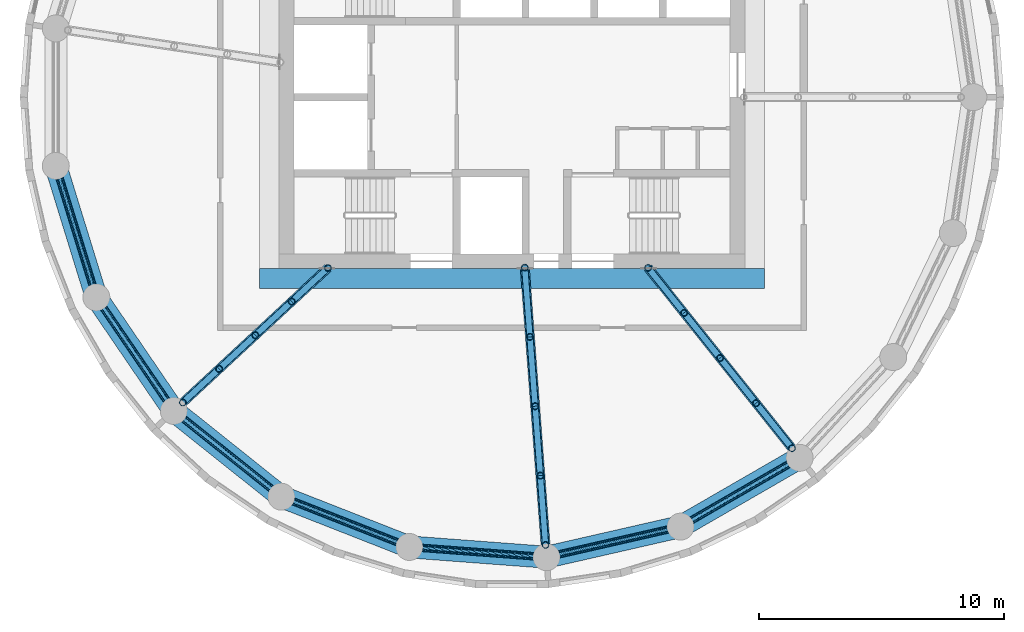
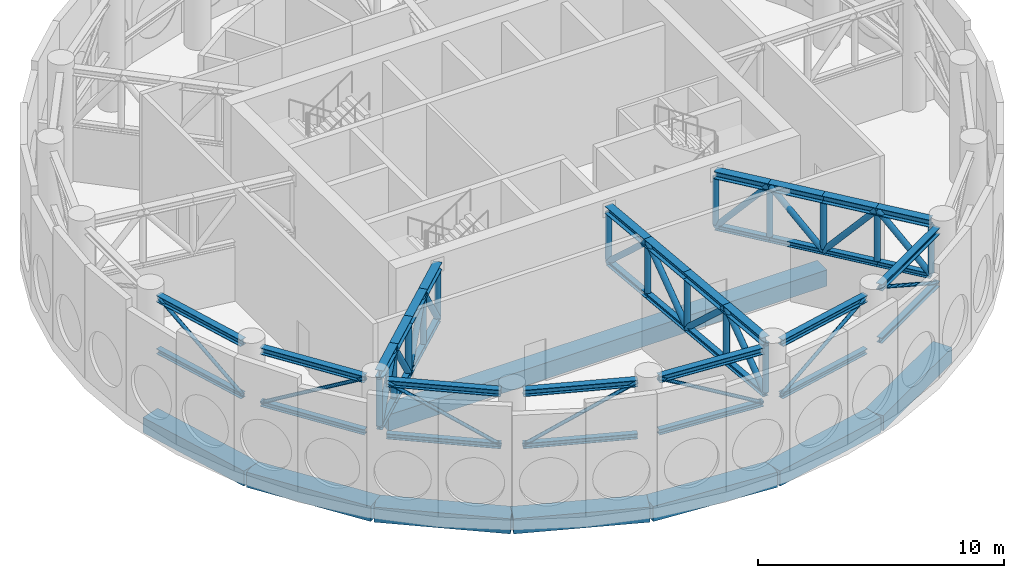
# One storey, part 2 of 13: 72 members, 8 beams.
"""IFC4 building model written with IfcOpenShell, lengths in metres."""

from ifc_helpers import new_model, si_unit, direction, frame, origin, origin_2d, place, context, subcontext, project, spatial, rectangle, hollow_circle, i_section, extrude, material, material_profile, profile_set, type_object, element, save


model = new_model("IFC4")

# Units and contexts
model_context = context("Model", 3, precision=1e-05, world=origin(), true_north=direction((0.0, 1.0)))
body_context = subcontext(model_context, "Body", "Model", "MODEL_VIEW")
ifc_project = project(units=[si_unit("LENGTHUNIT", "METRE"), si_unit("AREAUNIT", "SQUARE_METRE"), si_unit("VOLUMEUNIT", "CUBIC_METRE"), si_unit("PLANEANGLEUNIT", "RADIAN"), si_unit("MASSUNIT", "GRAM", prefix="KILO")], contexts=[model_context])

# Site, building, storey
site_placement = place(None, origin())
site = spatial("IfcSite", under=ifc_project, at=site_placement, CompositionType="ELEMENT")
building_placement = place(site_placement, origin())
building = spatial("IfcBuilding", under=site, at=building_placement, Name="Tracery Tower", CompositionType="ELEMENT")
storey_placement = place(building_placement, frame((0.0, 0.0, 277.800048828125)))
storey = spatial("IfcBuildingStorey", under=building, at=storey_placement, Name="L72 Plant", CompositionType="ELEMENT", Elevation=277.800048828125)

# Members
ifc_material_1 = material(Name="Steel S355", Category="steel")
ifc_material_profile_1 = material_profile(ifc_material_1, i_section(OverallWidth=0.25634765625, OverallDepth=0.26025390625, WebThickness=0.01025390625, FlangeThickness=0.017333984375, FilletRadius=0.0126953125, at=origin_2d()), Name="UKC 254x254x89")
ifc_profile_set_1 = profile_set([ifc_material_profile_1], Name="Steel S355")
member_type_1 = type_object("IfcMemberType", Name="Belt truss bottom chord UKC 254x254x89", PredefinedType="CHORD", material=ifc_profile_set_1)
member_1_placement = place(storey_placement, frame((-18.4794921875, -3.2353515625, 2.830078125), z_axis=(0.294784997868, -0.955563605958, 0.0), x_axis=(0.955563605958, 0.294784997868, 0.0)))
element("IfcMember", 1, at=member_1_placement, inside=storey, type_object=member_type_1, Name="Belt truss bottom chord 12", PredefinedType="CHORD", context=body_context, shape_type="SweptSolid", body=[
    extrude(i_section(OverallWidth=0.25634765625, OverallDepth=0.26025390625, WebThickness=0.01025390625, FlangeThickness=0.017333984375, FilletRadius=0.0126953125, at=origin_2d()), origin(), (0.0, 0.0, 1.0), 4.710693359375),
])
member_2_placement = place(storey_placement, frame((-16.70458984375, -8.53857421875, 2.830078125), z_axis=(0.563341649439, -0.826224053152, 0.0), x_axis=(0.826224053152, 0.563341649439, 0.0)))
element("IfcMember", 2, at=member_2_placement, inside=storey, type_object=member_type_1, Name="Belt truss bottom chord 13", PredefinedType="CHORD", context=body_context, shape_type="SweptSolid", body=[
    extrude(i_section(OverallWidth=0.25634765625, OverallDepth=0.26025390625, WebThickness=0.01025390625, FlangeThickness=0.017333984375, FilletRadius=0.0126953125, at=origin_2d()), origin(), (0.0, 0.0, 1.0), 4.71044921875),
])
for number, where, z_axis, x_axis, name in (
    (3, (-13.44580078125, -13.0830078125, 2.830078125), (0.781828604121, -0.623493411175, 0.0), (0.623493411175, 0.781828604121, 0.0), "Belt truss bottom chord 14"),
    (4, (-8.9921875, -16.46484375, 2.830078125), (0.93087679871, -0.365333252831, 0.0), (0.365333252831, 0.93087679871, 0.0), "Belt truss bottom chord 15"),
    (5, (-3.739501953125, -18.3837890625, 2.830078125), (0.997199599776, -0.074786082973, 0.0), (0.074786082973, 0.997199599776, 0.0), "Belt truss bottom chord 16"),
    (6, (1.84521484375, -18.66943359375, 2.830078125), (0.974922155148, 0.222546155665, 0.0), (-0.222546155665, 0.974922155148, 0.0), "Belt truss bottom chord 17"),
    (7, (7.26611328125, -17.296142578125, 2.830078125), (0.866037140647, 0.499979670606, 0.0), (-0.499979670606, 0.866037140647, 0.0), "Belt truss bottom chord 18"),
):
    element("IfcMember", number, at=place(storey_placement, frame(where, z_axis=z_axis, x_axis=x_axis)), inside=storey, type_object=member_type_1, Name=name, PredefinedType="CHORD", context=body_context, shape_type="SweptSolid", body=[
        extrude(i_section(OverallWidth=0.25634765625, OverallDepth=0.26025390625, WebThickness=0.01025390625, FlangeThickness=0.017333984375, FilletRadius=0.0126953125, at=origin_2d()), origin(), (0.0, 0.0, 1.0), 4.710693359375),
    ])
ifc_material_2 = material(Name="Steel S355", Category="steel")
ifc_material_profile_2 = material_profile(ifc_material_2, hollow_circle(Radius=0.084228515625, WallThickness=0.008056640625, at=origin_2d()), Name="CHS 168.3x8")
ifc_profile_set_2 = profile_set([ifc_material_profile_2], Name="Steel S355")
member_type_2 = type_object("IfcMemberType", Name="Belt truss diagonal CHS 168.3x8", PredefinedType="BRACE", material=ifc_profile_set_2)
member_3_placement = place(storey_placement, frame((-18.4794921875, -3.2353515625, 5.468994140625), z_axis=(0.257181422183, -0.833669314736, -0.488726088675), x_axis=(0.955563605958, 0.294784997868, 0.0)))
element("IfcMember", 8, at=member_3_placement, inside=storey, type_object=member_type_2, Name="Belt truss diagonal 12", PredefinedType="BRACE", context=body_context, shape_type="SweptSolid", body=[
    extrude(hollow_circle(Radius=0.084228515625, WallThickness=0.008056640625, at=origin_2d()), origin(), (0.0, 0.0, 1.0), 5.399658203125),
])
member_4_placement = place(storey_placement, frame((-16.70458984375, -8.53857421875, 2.830078125), z_axis=(0.49147039538, -0.720814203031, 0.488757337718), x_axis=(0.826224053152, 0.563341649439, 0.0)))
element("IfcMember", 9, at=member_4_placement, inside=storey, type_object=member_type_2, Name="Belt truss diagonal 13", PredefinedType="BRACE", context=body_context, shape_type="SweptSolid", body=[
    extrude(hollow_circle(Radius=0.084228515625, WallThickness=0.008056640625, at=origin_2d()), origin(), (0.0, 0.0, 1.0), 5.399169921875),
])
for number, where, z_axis, x_axis, name in (
    (10, (-13.44580078125, -13.0830078125, 5.468994140625), (0.682088749802, -0.543952778264, -0.488743606007), (0.623493411175, 0.781828604121, 0.0), "Belt truss diagonal 14"),
    (11, (-8.9921875, -16.46484375, 2.830078125), (0.812124520324, -0.318727562149, 0.488739710494), (0.365333252831, 0.93087679871, 0.0), "Belt truss diagonal 15"),
    (12, (-3.739501953125, -18.3837890625, 5.468994140625), (0.86998996148, -0.065245855954, -0.488733511441), (0.074786082973, 0.997199599776, 0.0), "Belt truss diagonal 16"),
    (13, (1.84521484375, -18.66943359375, 2.830078125), (0.850552696551, 0.194156253202, 0.48873659545), (-0.222546155665, 0.974922155148, 0.0), "Belt truss diagonal 17"),
    (14, (7.26611328125, -17.296142578125, 5.468994140625), (0.755557155629, 0.436197479375, -0.488738318085), (-0.499979670606, 0.866037140647, 0.0), "Belt truss diagonal 18"),
):
    element("IfcMember", number, at=place(storey_placement, frame(where, z_axis=z_axis, x_axis=x_axis)), inside=storey, type_object=member_type_2, Name=name, PredefinedType="BRACE", context=body_context, shape_type="SweptSolid", body=[
        extrude(hollow_circle(Radius=0.084228515625, WallThickness=0.008056640625, at=origin_2d()), origin(), (0.0, 0.0, 1.0), 5.3994140625),
    ])
ifc_material_3 = material(Name="Steel S355", Category="steel")
ifc_material_profile_3 = material_profile(ifc_material_3, i_section(OverallWidth=0.30908203125, OverallDepth=0.320556640625, WebThickness=0.013916015625, FlangeThickness=0.021728515625, FilletRadius=0.01513671875, at=origin_2d()), Name="UKC 305x305x137")
ifc_profile_set_3 = profile_set([ifc_material_profile_3], Name="Steel S355")
member_type_3 = type_object("IfcMemberType", Name="Belt truss top chord UKC 305x305x137", PredefinedType="CHORD", material=ifc_profile_set_3)
member_5_placement = place(storey_placement, frame((-18.4794921875, -3.2353515625, 5.468994140625), z_axis=(0.294784997868, -0.955563605958, 0.0), x_axis=(0.955563605958, 0.294784997868, 0.0)))
element("IfcMember", 15, at=member_5_placement, inside=storey, type_object=member_type_3, Name="Belt truss top chord 12", PredefinedType="CHORD", context=body_context, shape_type="SweptSolid", body=[
    extrude(i_section(OverallWidth=0.30908203125, OverallDepth=0.320556640625, WebThickness=0.013916015625, FlangeThickness=0.021728515625, FilletRadius=0.01513671875, at=origin_2d()), origin(), (0.0, 0.0, 1.0), 4.710693359375),
])
member_6_placement = place(storey_placement, frame((-16.70458984375, -8.53857421875, 5.468994140625), z_axis=(0.563341649439, -0.826224053152, 0.0), x_axis=(0.826224053152, 0.563341649439, 0.0)))
element("IfcMember", 16, at=member_6_placement, inside=storey, type_object=member_type_3, Name="Belt truss top chord 13", PredefinedType="CHORD", context=body_context, shape_type="SweptSolid", body=[
    extrude(i_section(OverallWidth=0.30908203125, OverallDepth=0.320556640625, WebThickness=0.013916015625, FlangeThickness=0.021728515625, FilletRadius=0.01513671875, at=origin_2d()), origin(), (0.0, 0.0, 1.0), 4.71044921875),
])
for number, where, z_axis, x_axis, name in (
    (17, (-13.44580078125, -13.0830078125, 5.468994140625), (0.781828604121, -0.623493411175, 0.0), (0.623493411175, 0.781828604121, 0.0), "Belt truss top chord 14"),
    (18, (-8.9921875, -16.46484375, 5.468994140625), (0.93087679871, -0.365333252831, 0.0), (0.365333252831, 0.93087679871, 0.0), "Belt truss top chord 15"),
    (19, (-3.739501953125, -18.3837890625, 5.468994140625), (0.997199599776, -0.074786082973, 0.0), (0.074786082973, 0.997199599776, 0.0), "Belt truss top chord 16"),
    (20, (1.84521484375, -18.66943359375, 5.468994140625), (0.974922155148, 0.222546155665, 0.0), (-0.222546155665, 0.974922155148, 0.0), "Belt truss top chord 17"),
    (21, (7.26611328125, -17.296142578125, 5.468994140625), (0.866037140647, 0.499979670606, 0.0), (-0.499979670606, 0.866037140647, 0.0), "Belt truss top chord 18"),
):
    element("IfcMember", number, at=place(storey_placement, frame(where, z_axis=z_axis, x_axis=x_axis)), inside=storey, type_object=member_type_3, Name=name, PredefinedType="CHORD", context=body_context, shape_type="SweptSolid", body=[
        extrude(i_section(OverallWidth=0.30908203125, OverallDepth=0.320556640625, WebThickness=0.013916015625, FlangeThickness=0.021728515625, FilletRadius=0.01513671875, at=origin_2d()), origin(), (0.0, 0.0, 1.0), 4.710693359375),
    ])

# Beam
ifc_material_4 = material(Name="Concrete C40/50", Category="concrete")
ifc_material_profile_4 = material_profile(ifc_material_4, rectangle(XDim=0.800048828125, YDim=0.800048828125, at=origin_2d()), Name="RC 800x800")
ifc_profile_set_4 = profile_set([ifc_material_profile_4], Name="Concrete C40/50")
beam_type_1 = type_object("IfcBeamType", Name="Core slab edge beam 800x800", PredefinedType="BEAM", material=ifc_profile_set_4)
beam_1_placement = place(storey_placement, frame((-10.300048828125, -7.39990234375, -0.900146484375), z_axis=(1.0, 0.0, 0.0), x_axis=(0.0, 1.0, 0.0)))
element("IfcBeam", 22, at=beam_1_placement, inside=storey, type_object=beam_type_1, Name="Core hole edge beam S at L72 Plant", PredefinedType="BEAM", context=body_context, shape_type="SweptSolid", body=[
    extrude(rectangle(XDim=0.800048828125, YDim=0.800048828125, at=origin_2d()), origin(), (0.0, 0.0, 1.0), 20.60009765625),
])

# Members
ifc_material_5 = material(Name="Steel S355", Category="steel")
ifc_material_profile_5 = material_profile(ifc_material_5, i_section(OverallWidth=0.25634765625, OverallDepth=0.26025390625, WebThickness=0.01025390625, FlangeThickness=0.017333984375, FilletRadius=0.0126953125, at=origin_2d()), Name="UKC 254x254x89")
ifc_profile_set_5 = profile_set([ifc_material_profile_5], Name="Steel S355")
member_type_4 = type_object("IfcMemberType", Name="Outrigger bottom chord UKC 254x254x89", PredefinedType="CHORD", material=ifc_profile_set_5)
member_7_placement = place(storey_placement, frame((-7.507568359375, -6.966064453125, 2.830078125), z_axis=(-0.733021596155, -0.680205365732, 0.0), x_axis=(0.680205365732, -0.733021596155, 0.0)))
element("IfcMember", 23, at=member_7_placement, inside=storey, type_object=member_type_4, Name="Outrigger 6 bottom chord 1", PredefinedType="CHORD", context=body_context, shape_type="SweptSolid", body=[
    extrude(i_section(OverallWidth=0.25634765625, OverallDepth=0.26025390625, WebThickness=0.01025390625, FlangeThickness=0.017333984375, FilletRadius=0.0126953125, at=origin_2d()), origin(), (0.0, 0.0, 1.0), 2.02001953125),
])
for number, where, z_axis, x_axis, name in (
    (24, (-8.98828125, -8.340087890625, 2.830078125), (-0.733077508584, -0.680145106876, 0.0), (0.680145106876, -0.733077508584, 0.0), "Outrigger 6 bottom chord 2"),
    (25, (-10.46923828125, -9.714111328125, 2.830078125), (-0.733077508584, -0.680145106876, 0.0), (0.680145106876, -0.733077508584, 0.0), "Outrigger 6 bottom chord 3"),
    (26, (-11.9501953125, -11.088134765625, 2.830078125), (-0.733077508584, -0.680145106876, 0.0), (0.680145106876, -0.733077508584, 0.0), "Outrigger 6 bottom chord 4"),
):
    element("IfcMember", number, at=place(storey_placement, frame(where, z_axis=z_axis, x_axis=x_axis)), inside=storey, type_object=member_type_4, Name=name, PredefinedType="CHORD", context=body_context, shape_type="SweptSolid", body=[
        extrude(i_section(OverallWidth=0.25634765625, OverallDepth=0.26025390625, WebThickness=0.01025390625, FlangeThickness=0.017333984375, FilletRadius=0.0126953125, at=origin_2d()), origin(), (0.0, 0.0, 1.0), 2.020263671875),
    ])
for number, where, z_axis, x_axis, name in (
    (27, (0.52099609375, -6.9501953125, 2.830078125), (0.074663780517, -0.997208764441, 0.0), (0.997208764441, 0.074663780517, 0.0), "Outrigger 7 bottom chord 1"),
    (28, (0.73291015625, -9.780517578125, 2.830078125), (0.074755730669, -0.997201875616, 0.0), (0.997201875616, 0.074755730669, 0.0), "Outrigger 7 bottom chord 2"),
    (29, (0.945068359375, -12.610595703125, 2.830078125), (0.074663780517, -0.997208764441, 0.0), (0.997208764441, 0.074663780517, 0.0), "Outrigger 7 bottom chord 3"),
    (30, (1.156982421875, -15.44091796875, 2.830078125), (0.074755730669, -0.997201875616, 0.0), (0.997201875616, 0.074755730669, 0.0), "Outrigger 7 bottom chord 4"),
):
    element("IfcMember", number, at=place(storey_placement, frame(where, z_axis=z_axis, x_axis=x_axis)), inside=storey, type_object=member_type_4, Name=name, PredefinedType="CHORD", context=body_context, shape_type="SweptSolid", body=[
        extrude(i_section(OverallWidth=0.25634765625, OverallDepth=0.26025390625, WebThickness=0.01025390625, FlangeThickness=0.017333984375, FilletRadius=0.0126953125, at=origin_2d()), origin(), (0.0, 0.0, 1.0), 2.838134765625),
    ])
member_8_placement = place(storey_placement, frame((5.551025390625, -6.9609375, 2.830078125), z_axis=(0.62350584612, -0.781818687328, 0.0), x_axis=(0.781818687328, 0.62350584612, 0.0)))
element("IfcMember", 31, at=member_8_placement, inside=storey, type_object=member_type_4, Name="Outrigger 8 bottom chord 1", PredefinedType="CHORD", context=body_context, shape_type="SweptSolid", body=[
    extrude(i_section(OverallWidth=0.25634765625, OverallDepth=0.26025390625, WebThickness=0.01025390625, FlangeThickness=0.017333984375, FilletRadius=0.0126953125, at=origin_2d()), origin(), (0.0, 0.0, 1.0), 2.354736328125),
])
member_9_placement = place(storey_placement, frame((7.019287109375, -8.802001953125, 2.830078125), z_axis=(0.62349301202, -0.781828922439, 0.0), x_axis=(0.781828922439, 0.62349301202, 0.0)))
element("IfcMember", 32, at=member_9_placement, inside=storey, type_object=member_type_4, Name="Outrigger 8 bottom chord 2", PredefinedType="CHORD", context=body_context, shape_type="SweptSolid", body=[
    extrude(i_section(OverallWidth=0.25634765625, OverallDepth=0.26025390625, WebThickness=0.01025390625, FlangeThickness=0.017333984375, FilletRadius=0.0126953125, at=origin_2d()), origin(), (0.0, 0.0, 1.0), 2.3544921875),
])
for number, where, z_axis, x_axis, name in (
    (33, (8.4873046875, -10.642822265625, 2.830078125), (0.62350584612, -0.781818687328, 0.0), (0.781818687328, 0.62350584612, 0.0), "Outrigger 8 bottom chord 3"),
    (34, (9.95556640625, -12.48388671875, 2.830078125), (0.623442469173, -0.781869226681, 0.0), (0.781869226681, 0.623442469173, 0.0), "Outrigger 8 bottom chord 4"),
):
    element("IfcMember", number, at=place(storey_placement, frame(where, z_axis=z_axis, x_axis=x_axis)), inside=storey, type_object=member_type_4, Name=name, PredefinedType="CHORD", context=body_context, shape_type="SweptSolid", body=[
        extrude(i_section(OverallWidth=0.25634765625, OverallDepth=0.26025390625, WebThickness=0.01025390625, FlangeThickness=0.017333984375, FilletRadius=0.0126953125, at=origin_2d()), origin(), (0.0, 0.0, 1.0), 2.354736328125),
    ])
ifc_material_6 = material(Name="Steel S355", Category="steel")
ifc_material_profile_6 = material_profile(ifc_material_6, hollow_circle(Radius=0.136474609375, WallThickness=0.012451171875, at=origin_2d()), Name="CHS 273x12.5")
ifc_profile_set_6 = profile_set([ifc_material_profile_6], Name="Steel S355")
member_type_5 = type_object("IfcMemberType", Name="Outrigger diagonal CHS 273x12.5", PredefinedType="BRACE", material=ifc_profile_set_6)
member_10_placement = place(storey_placement, frame((-7.507568359375, -6.966064453125, 2.830078125), z_axis=(-0.445554868311, -0.413451409539, 0.794064727383), x_axis=(0.680205365732, -0.733021596155, 0.0)))
element("IfcMember", 35, at=member_10_placement, inside=storey, type_object=member_type_5, Name="Outrigger 6 diagonal 1", PredefinedType="BRACE", context=body_context, shape_type="SweptSolid", body=[
    extrude(hollow_circle(Radius=0.136474609375, WallThickness=0.012451171875, at=origin_2d()), origin(), (0.0, 0.0, 1.0), 3.3232421875),
])
for number, where, z_axis, x_axis, name in (
    (36, (-8.98828125, -8.340087890625, 5.468994140625), (-0.445613744843, -0.413437876027, -0.794038735247), (0.680145106876, -0.733077508584, 0.0), "Outrigger 6 diagonal 2"),
    (37, (-10.46923828125, -9.714111328125, 2.830078125), (-0.445613744843, -0.413437876027, 0.794038735247), (0.680145106876, -0.733077508584, 0.0), "Outrigger 6 diagonal 3"),
    (38, (-11.9501953125, -11.088134765625, 5.468994140625), (-0.445613744843, -0.413437876027, -0.794038735247), (0.680145106876, -0.733077508584, 0.0), "Outrigger 6 diagonal 4"),
):
    element("IfcMember", number, at=place(storey_placement, frame(where, z_axis=z_axis, x_axis=x_axis)), inside=storey, type_object=member_type_5, Name=name, PredefinedType="BRACE", context=body_context, shape_type="SweptSolid", body=[
        extrude(hollow_circle(Radius=0.136474609375, WallThickness=0.012451171875, at=origin_2d()), origin(), (0.0, 0.0, 1.0), 3.323486328125),
    ])
member_11_placement = place(storey_placement, frame((0.52099609375, -6.9501953125, 2.830078125), z_axis=(0.05468042774, -0.730311288925, 0.680922515483), x_axis=(0.997208764441, 0.074663780517, 0.0)))
element("IfcMember", 39, at=member_11_placement, inside=storey, type_object=member_type_5, Name="Outrigger 7 diagonal 1", PredefinedType="BRACE", context=body_context, shape_type="SweptSolid", body=[
    extrude(hollow_circle(Radius=0.136474609375, WallThickness=0.012451171875, at=origin_2d()), origin(), (0.0, 0.0, 1.0), 3.87548828125),
])
member_12_placement = place(storey_placement, frame((0.73291015625, -9.780517578125, 5.468994140625), z_axis=(0.054745753543, -0.730279372928, -0.68095149603), x_axis=(0.997201875616, 0.074755730669, 0.0)))
element("IfcMember", 40, at=member_12_placement, inside=storey, type_object=member_type_5, Name="Outrigger 7 diagonal 2", PredefinedType="BRACE", context=body_context, shape_type="SweptSolid", body=[
    extrude(hollow_circle(Radius=0.136474609375, WallThickness=0.012451171875, at=origin_2d()), origin(), (0.0, 0.0, 1.0), 3.875244140625),
])
member_13_placement = place(storey_placement, frame((0.945068359375, -12.610595703125, 2.830078125), z_axis=(0.05468042774, -0.730311288925, 0.680922515483), x_axis=(0.997208764441, 0.074663780517, 0.0)))
element("IfcMember", 41, at=member_13_placement, inside=storey, type_object=member_type_5, Name="Outrigger 7 diagonal 3", PredefinedType="BRACE", context=body_context, shape_type="SweptSolid", body=[
    extrude(hollow_circle(Radius=0.136474609375, WallThickness=0.012451171875, at=origin_2d()), origin(), (0.0, 0.0, 1.0), 3.87548828125),
])
member_14_placement = place(storey_placement, frame((1.156982421875, -15.44091796875, 5.468994140625), z_axis=(0.054745753543, -0.730279372928, -0.68095149603), x_axis=(0.997201875616, 0.074755730669, 0.0)))
element("IfcMember", 42, at=member_14_placement, inside=storey, type_object=member_type_5, Name="Outrigger 7 diagonal 4", PredefinedType="BRACE", context=body_context, shape_type="SweptSolid", body=[
    extrude(hollow_circle(Radius=0.136474609375, WallThickness=0.012451171875, at=origin_2d()), origin(), (0.0, 0.0, 1.0), 3.875244140625),
])
member_15_placement = place(storey_placement, frame((5.551025390625, -6.9609375, 2.830078125), z_axis=(0.415134576076, -0.520540378814, 0.746123982841), x_axis=(0.781818687328, 0.62350584612, 0.0)))
element("IfcMember", 43, at=member_15_placement, inside=storey, type_object=member_type_5, Name="Outrigger 8 diagonal 1", PredefinedType="BRACE", context=body_context, shape_type="SweptSolid", body=[
    extrude(hollow_circle(Radius=0.136474609375, WallThickness=0.012451171875, at=origin_2d()), origin(), (0.0, 0.0, 1.0), 3.536865234375),
])
member_16_placement = place(storey_placement, frame((7.019287109375, -8.802001953125, 5.468994140625), z_axis=(0.415092356835, -0.520504967659, -0.74617217446), x_axis=(0.781828922439, 0.62349301202, 0.0)))
element("IfcMember", 44, at=member_16_placement, inside=storey, type_object=member_type_5, Name="Outrigger 8 diagonal 2", PredefinedType="BRACE", context=body_context, shape_type="SweptSolid", body=[
    extrude(hollow_circle(Radius=0.136474609375, WallThickness=0.012451171875, at=origin_2d()), origin(), (0.0, 0.0, 1.0), 3.53662109375),
])
member_17_placement = place(storey_placement, frame((8.4873046875, -10.642822265625, 2.830078125), z_axis=(0.415134576076, -0.520540378814, 0.746123982841), x_axis=(0.781818687328, 0.62350584612, 0.0)))
element("IfcMember", 45, at=member_17_placement, inside=storey, type_object=member_type_5, Name="Outrigger 8 diagonal 3", PredefinedType="BRACE", context=body_context, shape_type="SweptSolid", body=[
    extrude(hollow_circle(Radius=0.136474609375, WallThickness=0.012451171875, at=origin_2d()), origin(), (0.0, 0.0, 1.0), 3.536865234375),
])
member_18_placement = place(storey_placement, frame((9.95556640625, -12.48388671875, 5.468994140625), z_axis=(0.415077441654, -0.52055529478, -0.746145362853), x_axis=(0.781869226681, 0.623442469173, 0.0)))
element("IfcMember", 46, at=member_18_placement, inside=storey, type_object=member_type_5, Name="Outrigger 8 diagonal 4", PredefinedType="BRACE", context=body_context, shape_type="SweptSolid", body=[
    extrude(hollow_circle(Radius=0.136474609375, WallThickness=0.012451171875, at=origin_2d()), origin(), (0.0, 0.0, 1.0), 3.53662109375),
])
ifc_material_7 = material(Name="Steel S355", Category="steel")
ifc_material_profile_7 = material_profile(ifc_material_7, hollow_circle(Radius=0.136474609375, WallThickness=0.012451171875, at=origin_2d()), Name="CHS 273x12.5")
ifc_profile_set_7 = profile_set([ifc_material_profile_7], Name="Steel S355")
member_type_6 = type_object("IfcMemberType", Name="Outrigger post CHS 273x12.5", PredefinedType="POST", material=ifc_profile_set_7)
for number, where, z_axis, x_axis, name in (
    (47, (-7.507568359375, -6.966064453125, 2.960205078125), (0.0, 0.0, 1.0), (1.0, 0.0, 0.0), "Outrigger 6 post 1"),
    (48, (-8.98828125, -8.340087890625, 2.960205078125), (0.0, 0.0, 1.0), (1.0, 0.0, 0.0), "Outrigger 6 post 2"),
    (49, (-10.46923828125, -9.714111328125, 2.960205078125), (0.0, 0.0, 1.0), (1.0, 0.0, 0.0), "Outrigger 6 post 3"),
    (50, (-11.9501953125, -11.088134765625, 2.960205078125), (0.0, 0.0, 1.0), (1.0, 0.0, 0.0), "Outrigger 6 post 4"),
    (51, (-13.43115234375, -12.462158203125, 2.960205078125), (0.0, 0.0, 1.0), (1.0, 0.0, 0.0), "Outrigger 6 post 5"),
    (52, (0.52099609375, -6.9501953125, 2.960205078125), (0.0, 0.0, 1.0), (1.0, 0.0, 0.0), "Outrigger 7 post 1"),
    (53, (0.73291015625, -9.780517578125, 2.960205078125), (0.0, 0.0, 1.0), (1.0, 0.0, 0.0), "Outrigger 7 post 2"),
    (54, (0.945068359375, -12.610595703125, 2.960205078125), (0.0, 0.0, 1.0), (1.0, 0.0, 0.0), "Outrigger 7 post 3"),
    (55, (1.156982421875, -15.44091796875, 2.960205078125), (0.0, 0.0, 1.0), (1.0, 0.0, 0.0), "Outrigger 7 post 4"),
    (56, (1.369140625, -18.27099609375, 2.960205078125), (0.0, 0.0, 1.0), (1.0, 0.0, 0.0), "Outrigger 7 post 5"),
    (57, (5.551025390625, -6.9609375, 2.960205078125), (0.0, 0.0, 1.0), (1.0, 0.0, 0.0), "Outrigger 8 post 1"),
    (58, (7.019287109375, -8.802001953125, 2.960205078125), (0.0, 0.0, 1.0), (1.0, 0.0, 0.0), "Outrigger 8 post 2"),
    (59, (8.4873046875, -10.642822265625, 2.960205078125), (0.0, 0.0, 1.0), (1.0, 0.0, 0.0), "Outrigger 8 post 3"),
    (60, (9.95556640625, -12.48388671875, 2.960205078125), (0.0, 0.0, 1.0), (1.0, 0.0, 0.0), "Outrigger 8 post 4"),
    (61, (11.423583984375, -14.324951171875, 2.960205078125), (0.0, 0.0, 1.0), (1.0, 0.0, 0.0), "Outrigger 8 post 5"),
):
    element("IfcMember", number, at=place(storey_placement, frame(where, z_axis=z_axis, x_axis=x_axis)), inside=storey, type_object=member_type_6, Name=name, PredefinedType="POST", context=body_context, shape_type="SweptSolid", body=[
        extrude(hollow_circle(Radius=0.136474609375, WallThickness=0.012451171875, at=origin_2d()), origin(), (0.0, 0.0, 1.0), 2.32763671875),
    ])
ifc_material_8 = material(Name="Steel S355", Category="steel")
ifc_material_profile_8 = material_profile(ifc_material_8, i_section(OverallWidth=0.37060546875, OverallDepth=0.362060546875, WebThickness=0.01220703125, FlangeThickness=0.020751953125, FilletRadius=0.01513671875, at=origin_2d()), Name="UKC 356x368x153")
ifc_profile_set_8 = profile_set([ifc_material_profile_8], Name="Steel S355")
member_type_7 = type_object("IfcMemberType", Name="Outrigger top chord UKC 356x368x153", PredefinedType="CHORD", material=ifc_profile_set_8)
member_19_placement = place(storey_placement, frame((-7.507568359375, -6.966064453125, 5.468994140625), z_axis=(-0.733021596155, -0.680205365732, 0.0), x_axis=(0.680205365732, -0.733021596155, 0.0)))
element("IfcMember", 62, at=member_19_placement, inside=storey, type_object=member_type_7, Name="Outrigger 6 top chord 1", PredefinedType="CHORD", context=body_context, shape_type="SweptSolid", body=[
    extrude(i_section(OverallWidth=0.37060546875, OverallDepth=0.362060546875, WebThickness=0.01220703125, FlangeThickness=0.020751953125, FilletRadius=0.01513671875, at=origin_2d()), origin(), (0.0, 0.0, 1.0), 2.02001953125),
])
for number, where, z_axis, x_axis, name in (
    (63, (-8.98828125, -8.340087890625, 5.468994140625), (-0.733077508584, -0.680145106876, 0.0), (0.680145106876, -0.733077508584, 0.0), "Outrigger 6 top chord 2"),
    (64, (-10.46923828125, -9.714111328125, 5.468994140625), (-0.733077508584, -0.680145106876, 0.0), (0.680145106876, -0.733077508584, 0.0), "Outrigger 6 top chord 3"),
    (65, (-11.9501953125, -11.088134765625, 5.468994140625), (-0.733077508584, -0.680145106876, 0.0), (0.680145106876, -0.733077508584, 0.0), "Outrigger 6 top chord 4"),
):
    element("IfcMember", number, at=place(storey_placement, frame(where, z_axis=z_axis, x_axis=x_axis)), inside=storey, type_object=member_type_7, Name=name, PredefinedType="CHORD", context=body_context, shape_type="SweptSolid", body=[
        extrude(i_section(OverallWidth=0.37060546875, OverallDepth=0.362060546875, WebThickness=0.01220703125, FlangeThickness=0.020751953125, FilletRadius=0.01513671875, at=origin_2d()), origin(), (0.0, 0.0, 1.0), 2.020263671875),
    ])
for number, where, z_axis, x_axis, name in (
    (66, (0.52099609375, -6.9501953125, 5.468994140625), (0.074663780517, -0.997208764441, 0.0), (0.997208764441, 0.074663780517, 0.0), "Outrigger 7 top chord 1"),
    (67, (0.73291015625, -9.780517578125, 5.468994140625), (0.074755730669, -0.997201875616, 0.0), (0.997201875616, 0.074755730669, 0.0), "Outrigger 7 top chord 2"),
    (68, (0.945068359375, -12.610595703125, 5.468994140625), (0.074663780517, -0.997208764441, 0.0), (0.997208764441, 0.074663780517, 0.0), "Outrigger 7 top chord 3"),
    (69, (1.156982421875, -15.44091796875, 5.468994140625), (0.074755730669, -0.997201875616, 0.0), (0.997201875616, 0.074755730669, 0.0), "Outrigger 7 top chord 4"),
):
    element("IfcMember", number, at=place(storey_placement, frame(where, z_axis=z_axis, x_axis=x_axis)), inside=storey, type_object=member_type_7, Name=name, PredefinedType="CHORD", context=body_context, shape_type="SweptSolid", body=[
        extrude(i_section(OverallWidth=0.37060546875, OverallDepth=0.362060546875, WebThickness=0.01220703125, FlangeThickness=0.020751953125, FilletRadius=0.01513671875, at=origin_2d()), origin(), (0.0, 0.0, 1.0), 2.838134765625),
    ])
member_20_placement = place(storey_placement, frame((5.551025390625, -6.9609375, 5.468994140625), z_axis=(0.62350584612, -0.781818687328, 0.0), x_axis=(0.781818687328, 0.62350584612, 0.0)))
element("IfcMember", 70, at=member_20_placement, inside=storey, type_object=member_type_7, Name="Outrigger 8 top chord 1", PredefinedType="CHORD", context=body_context, shape_type="SweptSolid", body=[
    extrude(i_section(OverallWidth=0.37060546875, OverallDepth=0.362060546875, WebThickness=0.01220703125, FlangeThickness=0.020751953125, FilletRadius=0.01513671875, at=origin_2d()), origin(), (0.0, 0.0, 1.0), 2.354736328125),
])
member_21_placement = place(storey_placement, frame((7.019287109375, -8.802001953125, 5.468994140625), z_axis=(0.62349301202, -0.781828922439, 0.0), x_axis=(0.781828922439, 0.62349301202, 0.0)))
element("IfcMember", 71, at=member_21_placement, inside=storey, type_object=member_type_7, Name="Outrigger 8 top chord 2", PredefinedType="CHORD", context=body_context, shape_type="SweptSolid", body=[
    extrude(i_section(OverallWidth=0.37060546875, OverallDepth=0.362060546875, WebThickness=0.01220703125, FlangeThickness=0.020751953125, FilletRadius=0.01513671875, at=origin_2d()), origin(), (0.0, 0.0, 1.0), 2.3544921875),
])
for number, where, z_axis, x_axis, name in (
    (72, (8.4873046875, -10.642822265625, 5.468994140625), (0.62350584612, -0.781818687328, 0.0), (0.781818687328, 0.62350584612, 0.0), "Outrigger 8 top chord 3"),
    (73, (9.95556640625, -12.48388671875, 5.468994140625), (0.623442469173, -0.781869226681, 0.0), (0.781869226681, 0.623442469173, 0.0), "Outrigger 8 top chord 4"),
):
    element("IfcMember", number, at=place(storey_placement, frame(where, z_axis=z_axis, x_axis=x_axis)), inside=storey, type_object=member_type_7, Name=name, PredefinedType="CHORD", context=body_context, shape_type="SweptSolid", body=[
        extrude(i_section(OverallWidth=0.37060546875, OverallDepth=0.362060546875, WebThickness=0.01220703125, FlangeThickness=0.020751953125, FilletRadius=0.01513671875, at=origin_2d()), origin(), (0.0, 0.0, 1.0), 2.354736328125),
    ])

# Beams
ifc_material_9 = material(Name="Concrete C40/50", Category="concrete")
ifc_material_profile_9 = material_profile(ifc_material_9, rectangle(XDim=0.89990234375, YDim=0.75, at=origin_2d()), Name="RC 900x750")
ifc_profile_set_9 = profile_set([ifc_material_profile_9], Name="Concrete C40/50")
beam_type_2 = type_object("IfcBeamType", Name="Plant level band beam 900x750", PredefinedType="BEAM", material=ifc_profile_set_9)
for number, where, z_axis, x_axis, name in (
    (74, (-18.612060546875, -2.805419921875, -0.875), (0.294764594813, -0.955569899926, 0.0), (0.955569899926, 0.294764594813, 0.0), "Perimeter beam 2.11 under L72 Plant"),
    (75, (-16.958251953125, -8.166748046875, -0.875), (0.5633462764, -0.826220898348, 0.0), (0.826220898348, 0.5633462764, 0.0), "Perimeter beam 2.12 under L72 Plant"),
    (76, (-13.797607421875, -12.80224609375, -0.875), (0.781814605872, -0.623510963853, 0.0), (0.623510963853, 0.781814605872, 0.0), "Perimeter beam 2.13 under L72 Plant"),
):
    element("IfcBeam", number, at=place(storey_placement, frame(where, z_axis=z_axis, x_axis=x_axis)), inside=storey, type_object=beam_type_2, Name=name, PredefinedType="BEAM", context=body_context, shape_type="SweptSolid", body=[
        extrude(rectangle(XDim=0.89990234375, YDim=0.75, at=origin_2d()), origin(), (0.0, 0.0, 1.0), 5.610595703125),
    ])
beam_2_placement = place(storey_placement, frame((-9.4111328125, -16.300537109375, -0.875), z_axis=(0.930875728468, -0.365335979817, 0.0), x_axis=(0.365335979817, 0.930875728468, 0.0)))
element("IfcBeam", 77, at=beam_2_placement, inside=storey, type_object=beam_type_2, Name="Perimeter beam 2.14 under L72 Plant", PredefinedType="BEAM", context=body_context, shape_type="SweptSolid", body=[
    extrude(rectangle(XDim=0.89990234375, YDim=0.75, at=origin_2d()), origin(), (0.0, 0.0, 1.0), 5.61083984375),
])
beam_3_placement = place(storey_placement, frame((-4.188232421875, -18.350341796875, -0.875), z_axis=(0.997204824387, -0.07471638521, 0.0), x_axis=(0.07471638521, 0.997204824387, 0.0)))
element("IfcBeam", 78, at=beam_3_placement, inside=storey, type_object=beam_type_2, Name="Perimeter beam 2.15 under L72 Plant", PredefinedType="BEAM", context=body_context, shape_type="SweptSolid", body=[
    extrude(rectangle(XDim=0.89990234375, YDim=0.75, at=origin_2d()), origin(), (0.0, 0.0, 1.0), 5.6103515625),
])
for number, where, z_axis, x_axis, name in (
    (79, (1.406494140625, -18.76953125, -0.875), (0.974925977366, 0.222529410768, 0.0), (-0.222529410768, 0.974925977366, 0.0), "Perimeter beam 2.16 under L72 Plant"),
    (80, (6.87646484375, -17.52099609375, -0.875), (0.866033412818, 0.49998612769, 0.0), (-0.49998612769, 0.866033412818, 0.0), "Perimeter beam 2.17 under L72 Plant"),
):
    element("IfcBeam", number, at=place(storey_placement, frame(where, z_axis=z_axis, x_axis=x_axis)), inside=storey, type_object=beam_type_2, Name=name, PredefinedType="BEAM", context=body_context, shape_type="SweptSolid", body=[
        extrude(rectangle(XDim=0.89990234375, YDim=0.75, at=origin_2d()), origin(), (0.0, 0.0, 1.0), 5.610595703125),
    ])

save(model, "model.ifc")
